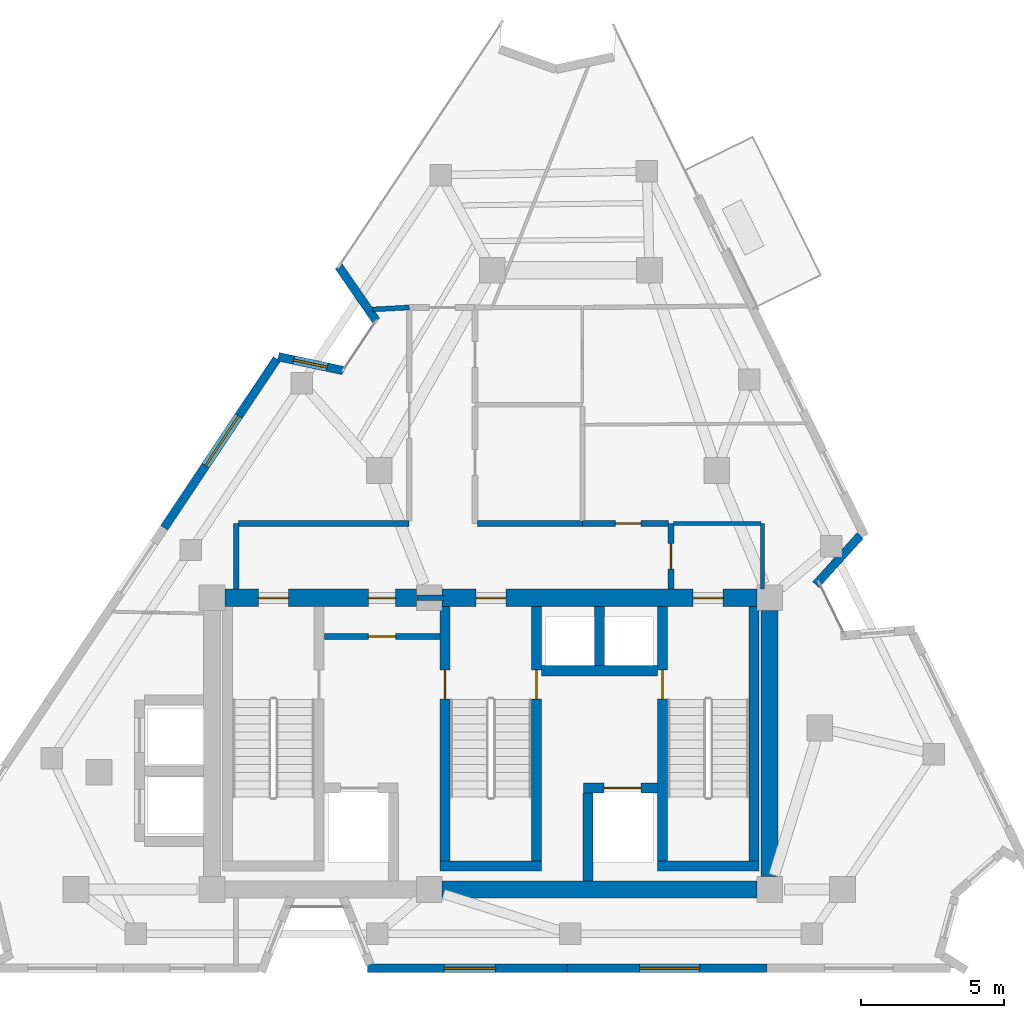
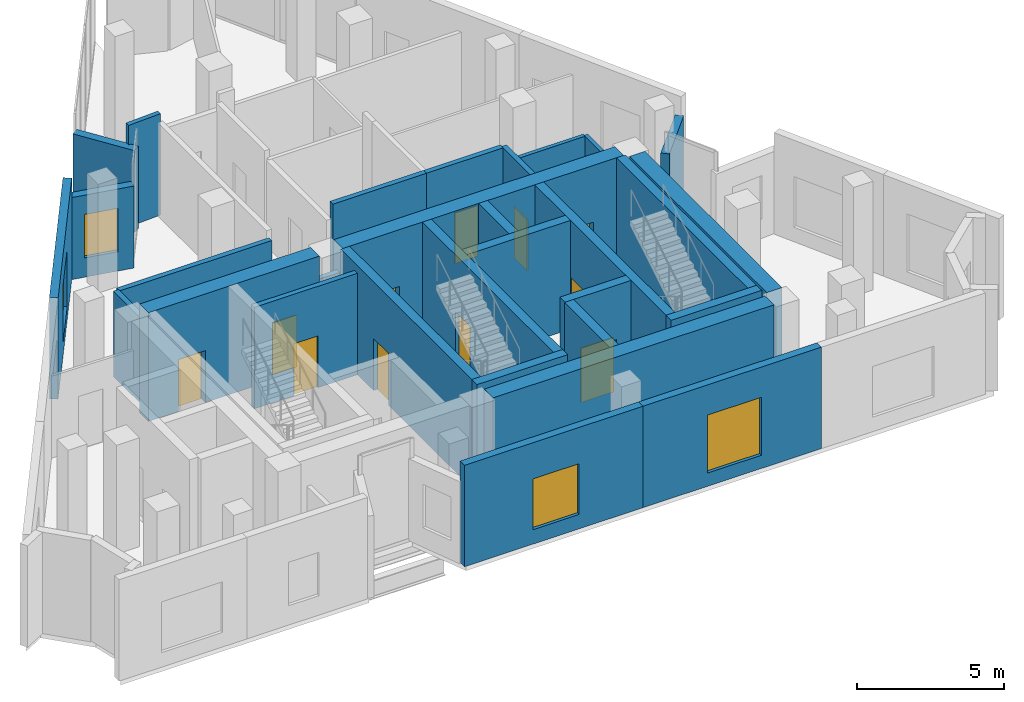
# One storey, part 6 of 9: 30 walls, 11 doors, 4 windows, 15 openings.
"""IFC4 building model written with IfcOpenShell, lengths in metres."""

import ifcopenshell
import ifcopenshell.guid

model = None  # the IFC model being written
_history = None  # IfcOwnerHistory: only IFC2X3 demands one
_inside = {}  # id of a spatial element -> (the spatial element, [elements in it])
_under = {}  # id of a project, library or spatial element -> (it, [spatial elements below it])
_declared = {}  # id of a project -> (the project, [libraries it declares])
_typed = {}  # id of a type object -> (the type object, [elements of that type])
_made_of = {}  # id of a material, layer set ... -> (it, [elements and type objects made of it])


def new_model(schema):
    """Start an empty IFC model of exactly this schema.

    Asked for "IFC4X3", IfcOpenShell would pick the latest addendum, in which some entities
    have other attributes; the version numbers below select the first issue.
    IFC2X3 requires an IfcOwnerHistory on every rooted entity: one is made here for all.
    """
    global model, _history
    if schema == "IFC4X3":
        model = ifcopenshell.file(schema_version=(4, 3, 0, 0))
    else:
        model = ifcopenshell.file(schema=schema)
    _inside.clear()
    _under.clear()
    _declared.clear()
    _typed.clear()
    _made_of.clear()
    _history = None
    if model.schema == "IFC2X3":
        org = make("IfcOrganization", Name="unknown")
        user = make(
            "IfcPersonAndOrganization",
            ThePerson=make("IfcPerson", FamilyName="unknown"),
            TheOrganization=org,
        )
        app = make(
            "IfcApplication",
            ApplicationDeveloper=org,
            Version="unknown",
            ApplicationFullName="unknown",
            ApplicationIdentifier="unknown",
        )
        _history = make(
            "IfcOwnerHistory",
            OwningUser=user,
            OwningApplication=app,
            ChangeAction="ADDED",
            CreationDate=0,
        )
    return model


def make(cls, **values):
    """One entity of the class cls with the attributes given. An attribute that is None is left unset."""
    return model.create_entity(
        cls, **{name: value for name, value in values.items() if value is not None}
    )


def rooted(cls, **values):
    """An entity with a GlobalId (a new one), such as an element, a storey or a relation."""
    return make(cls, GlobalId=ifcopenshell.guid.new(), OwnerHistory=_history, **values)


def si_unit(unit_type, name, prefix=None):
    """IfcSIUnit, for example si_unit("LENGTHUNIT", "METRE", prefix="MILLI")."""
    return make("IfcSIUnit", UnitType=unit_type, Prefix=prefix, Name=name)


def assignment(units):
    """IfcUnitAssignment: the units of a project."""
    return None if units is None else make("IfcUnitAssignment", Units=units)


def point(xyz):
    """IfcCartesianPoint."""
    return None if xyz is None else make("IfcCartesianPoint", Coordinates=xyz)


def direction(xyz):
    """IfcDirection."""
    return None if xyz is None else make("IfcDirection", DirectionRatios=xyz)


def frame(location, z_axis=None, x_axis=None):
    """IfcAxis2Placement3D, a coordinate frame: its origin and axes. An axis left out is left unset."""
    return make(
        "IfcAxis2Placement3D",
        Location=point(location),
        Axis=direction(z_axis),
        RefDirection=direction(x_axis),
    )


def frame_2d(location, x_axis=None):
    """IfcAxis2Placement2D, a coordinate frame in the plane: its origin and x axis."""
    return make(
        "IfcAxis2Placement2D", Location=point(location), RefDirection=direction(x_axis)
    )


def origin():
    """The frame at (0, 0, 0) with its axes left unset."""
    return frame((0.0, 0.0, 0.0))


def place(relative_to, where):
    """IfcLocalPlacement: puts the frame where relative to a parent placement (None: the world)."""
    return make(
        "IfcLocalPlacement", PlacementRelTo=relative_to, RelativePlacement=where
    )


def context(
    kind, dimensions, precision=None, world=None, true_north=None, identifier=None
):
    """IfcGeometricRepresentationContext, for example the 3D "Model" context."""
    return make(
        "IfcGeometricRepresentationContext",
        ContextIdentifier=identifier,
        ContextType=kind,
        CoordinateSpaceDimension=dimensions,
        Precision=precision,
        WorldCoordinateSystem=world,
        TrueNorth=true_north,
    )


def subcontext(parent, identifier, kind, view, scale=None):
    """IfcGeometricRepresentationSubContext, for example "Body" below "Model"."""
    return make(
        "IfcGeometricRepresentationSubContext",
        ContextIdentifier=identifier,
        ContextType=kind,
        ParentContext=parent,
        TargetScale=scale,
        TargetView=view,
    )


def project(units=None, contexts=None):
    """IfcProject with its units and contexts."""
    return rooted(
        "IfcProject",
        Name="project",
        RepresentationContexts=contexts,
        UnitsInContext=assignment(units),
    )


def spatial(cls, under=None, at=None, **own):
    """A site, building, storey or space (cls), placed at a placement, below another one or the project."""
    s = rooted(cls, ObjectPlacement=at, **own)
    if under is not None:
        _under.setdefault(under.id(), (under, []))[1].append(s)
    return s


def profile(cls, at=None, kind="AREA", **sizes):
    """A parametric profile (cls). Its sizes go by their IFC names, for example OverallWidth=200.0."""
    return make(cls, ProfileType=kind, Position=at, **sizes)


def rectangle(**sizes):
    """IfcRectangleProfileDef."""
    return profile("IfcRectangleProfileDef", **sizes)


def extrude(swept, where, along, depth):
    """IfcExtrudedAreaSolid: the profile swept, set in the frame where, extruded along a direction by depth."""
    return make(
        "IfcExtrudedAreaSolid",
        SweptArea=swept,
        Position=where,
        ExtrudedDirection=direction(along),
        Depth=depth,
    )


def shape(context_of_items, identifier, shape_type, items):
    """IfcShapeRepresentation: the items that make up one representation, for example the "Body"."""
    return make(
        "IfcShapeRepresentation",
        ContextOfItems=context_of_items,
        RepresentationIdentifier=identifier,
        RepresentationType=shape_type,
        Items=items,
    )


def material(Name=None, Category=None):
    """IfcMaterial."""
    return make("IfcMaterial", Name=Name, Category=Category)


def layer(
    of_material, thickness, ventilated=None, Name=None, Category=None, Priority=None
):
    """IfcMaterialLayer: one layer of a wall or slab, of a material (None: an air gap)."""
    return make(
        "IfcMaterialLayer",
        Material=of_material,
        LayerThickness=thickness,
        IsVentilated=ventilated,
        Name=Name,
        Category=Category,
        Priority=Priority,
    )


def layer_set(layers, Name=None):
    """IfcMaterialLayerSet."""
    return make("IfcMaterialLayerSet", MaterialLayers=layers, LayerSetName=Name)


def made_of(thing, what):
    """Note that an element or type object is made of a material, layer set ...; save() writes the relation."""
    if what is not None:
        _made_of.setdefault(what.id(), (what, []))[1].append(thing)
    return thing


def type_object(cls, material=None, **own):
    """A type object (cls), such as IfcWallType, which elements share."""
    return made_of(rooted(cls, **own), material)


def element(
    cls,
    number,
    at=None,
    inside=None,
    cuts=None,
    type_object=None,
    material=None,
    context=None,
    identifier="Body",
    shape_type=None,
    held_by="IfcProductDefinitionShape",
    body=None,
    shapes=None,
    **own,
):
    """One element of the class cls, such as IfcWall. Its Tag is "e" and its number.

    at: its placement. inside: the storey or other place that contains it. cuts: it is an
    opening in that element (IfcRelVoidsElement). A single representation is given by context,
    identifier, shape_type and body (its items); several are given by shapes. held_by: the class
    of the entity that holds the representations. save() writes the other relations.
    """
    e = rooted(cls, Tag="e%d" % number, ObjectPlacement=at, **own)
    if body is not None:
        shapes = [shape(context, identifier, shape_type, body)]
    if shapes is not None:
        e.Representation = make(held_by, Representations=shapes)
    if inside is not None:
        _inside.setdefault(inside.id(), (inside, []))[1].append(e)
    if cuts is not None:
        rooted(
            "IfcRelVoidsElement", RelatingBuildingElement=cuts, RelatedOpeningElement=e
        )
    if type_object is not None:
        _typed.setdefault(type_object.id(), (type_object, []))[1].append(e)
    return made_of(e, material)


def fill(opening, filler):
    """IfcRelFillsElement: the door or window that sits in an opening."""
    return rooted(
        "IfcRelFillsElement",
        RelatingOpeningElement=opening,
        RelatedBuildingElement=filler,
    )


def aggregate(whole, parts):
    """IfcRelAggregates: a whole, such as a stair, and the parts it consists of."""
    return rooted("IfcRelAggregates", RelatingObject=whole, RelatedObjects=parts)


def save(model, path):
    """Write the relations noted so far, then the file.

    IfcRelAggregates (storeys below a building ...), IfcRelContainedInSpatialStructure (elements
    in a storey), IfcRelDefinesByType, IfcRelAssociatesMaterial and IfcRelDeclares: one each for
    every whole, place, type object, material and project.
    """
    for whole, parts in _under.values():
        aggregate(whole, parts)
    for where, things in _inside.values():
        rooted(
            "IfcRelContainedInSpatialStructure",
            RelatedElements=things,
            RelatingStructure=where,
        )
    for kind, things in _typed.values():
        rooted("IfcRelDefinesByType", RelatedObjects=things, RelatingType=kind)
    for what, things in _made_of.values():
        rooted("IfcRelAssociatesMaterial", RelatedObjects=things, RelatingMaterial=what)
    for by, libraries in _declared.values():
        rooted("IfcRelDeclares", RelatingContext=by, RelatedDefinitions=libraries)
    model.write(path)


model = new_model("IFC4")

# Units and contexts
model_context = context("Model", 3, precision=1e-05, world=origin(), true_north=direction((0.0, 1.0)))
body_context = subcontext(model_context, "Body", "Model", "MODEL_VIEW")
ifc_project = project(units=[si_unit("LENGTHUNIT", "METRE"), si_unit("AREAUNIT", "SQUARE_METRE"), si_unit("VOLUMEUNIT", "CUBIC_METRE"), si_unit("PLANEANGLEUNIT", "RADIAN"), si_unit("MASSUNIT", "GRAM", prefix="KILO")], contexts=[model_context])

# Site, building, storey
site_placement = place(None, origin())
site = spatial("IfcSite", under=ifc_project, at=site_placement, CompositionType="ELEMENT")
building_placement = place(site_placement, origin())
building = spatial("IfcBuilding", under=site, at=building_placement, Name="Almagre Mirador Tower", CompositionType="ELEMENT")
storey_placement = place(building_placement, frame((0.0, 0.0, 289.5)))
storey = spatial("IfcBuildingStorey", under=building, at=storey_placement, Name="L75", CompositionType="ELEMENT", Elevation=289.5)

# Wall, opening, window
ifc_material_1 = material(Name="Precast concrete C50/60", Category="concrete")
ifc_layer_1 = layer(ifc_material_1, 0.300048828125)
ifc_layer_set_1 = layer_set([ifc_layer_1], Name="Precast concrete C50/60")
wall_type_1 = type_object("IfcWallType", Name="WAL-EXT-300", PredefinedType="SOLIDWALL", material=ifc_layer_set_1)
wall_1_placement = place(storey_placement, frame((29.8720703125, 23.178955078125, 0.0), z_axis=(0.0, 0.0, 1.0), x_axis=(0.978065695184, -0.208296653608, 0.0)))
wall_1 = element("IfcWall", 1, at=wall_1_placement, inside=storey, type_object=wall_type_1, Name="L75 expressed almagre precast frame wall 01", PredefinedType="SOLIDWALL", context=body_context, shape_type="SweptSolid", body=[
    extrude(rectangle(XDim=2.313720703125, YDim=0.300048828125, at=frame_2d((1.15673828125, 0.0))), origin(), (0.0, 0.0, 1.0), 3.39599609375),
])
opening_1_placement = place(wall_1_placement, frame((0.550048828125, 0.0, 0.800048828125)))
opening_1 = element("IfcOpeningElement", 2, at=opening_1_placement, cuts=wall_1, Name="Opening WN-04", PredefinedType="OPENING", context=body_context, shape_type="SweptSolid", body=[
    extrude(rectangle(XDim=1.199951171875, YDim=1.800048828125, at=frame_2d((0.60009765625, 0.89990234375))), frame((0.0, 0.159902, 0.0), z_axis=(0.0, -1.0, 0.0), x_axis=(1.0, 0.0, 0.0)), (0.0, 0.0, 1.0), 0.320049),
])
ifc_material_2 = material(Name="Dark solar-control laminated hurricane glass", Category="glass")
window_type_1 = type_object("IfcWindowType", Name="WIN-1200X1800", PartitioningType="SINGLE_PANEL", PredefinedType="WINDOW", material=ifc_material_2)
window_1_placement = place(opening_1_placement, origin())
window_1 = element("IfcWindow", 3, at=window_1_placement, inside=storey, type_object=window_type_1, Name="L75 recessed hurricane window L75-MSTD", OverallHeight=1.800048828125, OverallWidth=1.199951171875, PartitioningType="SINGLE_PANEL", PredefinedType="WINDOW", context=body_context, shape_type="SweptSolid", body=[
    extrude(rectangle(XDim=1.199951171875, YDim=1.800048828125, at=frame_2d((0.60009765625, 0.89990234375))), frame((0.0, 0.030029296875, 0.0), z_axis=(0.0, -1.0, 0.0), x_axis=(1.0, 0.0, 0.0)), (0.0, 0.0, 1.0), 0.06005859375),
])
fill(opening_1, window_1)

# Walls
wall_2_placement = place(storey_placement, frame((33.2958984375, 24.43505859375, 0.0), z_axis=(0.0, 0.0, 1.0), x_axis=(-0.567777329438, 0.823182181644, 0.0)))
element("IfcWall", 4, at=wall_2_placement, inside=storey, type_object=wall_type_1, Name="L75 expressed almagre precast frame wall 02", PredefinedType="SOLIDWALL", context=body_context, shape_type="SweptSolid", body=[
    extrude(rectangle(XDim=2.314208984375, YDim=0.300048828125, at=frame_2d((1.1572265625, 0.0))), origin(), (0.0, 0.0, 1.0), 3.39599609375),
])
wall_3_placement = place(storey_placement, frame((50.217041015625, 16.926025390625, 0.0), z_axis=(0.0, 0.0, 1.0), x_axis=(-0.670816609781, -0.741623270968, 0.0)))
element("IfcWall", 5, at=wall_3_placement, inside=storey, type_object=wall_type_1, Name="L75 expressed almagre precast frame wall 07", PredefinedType="SOLIDWALL", context=body_context, shape_type="SweptSolid", body=[
    extrude(rectangle(XDim=2.313720703125, YDim=0.300048828125, at=frame_2d((1.15673828125, 0.0))), origin(), (0.0, 0.0, 1.0), 3.39599609375),
])

# Wall, opening, window
wall_4_placement = place(storey_placement, frame((46.9560546875, 1.800048828125, 0.0), z_axis=(0.0, 0.0, 1.0), x_axis=(-1.0, 0.0, 0.0)))
wall_4 = element("IfcWall", 6, at=wall_4_placement, inside=storey, type_object=wall_type_1, Name="L75 expressed almagre precast frame wall 16", PredefinedType="SOLIDWALL", context=body_context, shape_type="SweptSolid", body=[
    extrude(rectangle(XDim=6.984130859375, YDim=0.300048828125, at=frame_2d((3.4921875, 0.0))), origin(), (0.0, 0.0, 1.0), 4.199951171875),
])
opening_2_placement = place(wall_4_placement, frame((2.35009765625, 0.0, 0.550048828125)))
opening_2 = element("IfcOpeningElement", 7, at=opening_2_placement, cuts=wall_4, Name="Opening WN-05", PredefinedType="OPENING", context=body_context, shape_type="SweptSolid", body=[
    extrude(rectangle(XDim=2.10009765625, YDim=2.39990234375, at=frame_2d((1.050048828125, 1.199951171875))), frame((0.0, 0.159902, 0.0), z_axis=(0.0, -1.0, 0.0), x_axis=(1.0, 0.0, 0.0)), (0.0, 0.0, 1.0), 0.320049),
])
ifc_material_3 = material(Name="Dark solar-control laminated hurricane glass", Category="glass")
window_type_2 = type_object("IfcWindowType", Name="WIN-2100X2400", PartitioningType="DOUBLE_PANEL_VERTICAL", PredefinedType="WINDOW", material=ifc_material_3)
window_2_placement = place(opening_2_placement, origin())
window_2 = element("IfcWindow", 8, at=window_2_placement, inside=storey, type_object=window_type_2, Name="L75 recessed hurricane window L75-MLEC-2", OverallHeight=2.39990234375, OverallWidth=2.10009765625, PartitioningType="SINGLE_PANEL", PredefinedType="WINDOW", context=body_context, shape_type="SweptSolid", body=[
    extrude(rectangle(XDim=2.10009765625, YDim=2.39990234375, at=frame_2d((1.050048828125, 1.199951171875))), frame((0.0, 0.030029296875, 0.0), z_axis=(0.0, -1.0, 0.0), x_axis=(1.0, 0.0, 0.0)), (0.0, 0.0, 1.0), 0.06005859375),
])
fill(opening_2, window_2)

wall_5_placement = place(storey_placement, frame((39.971923828125, 1.800048828125, 0.0), z_axis=(0.0, 0.0, 1.0), x_axis=(-1.0, 0.0, 0.0)))
wall_5 = element("IfcWall", 9, at=wall_5_placement, inside=storey, type_object=wall_type_1, Name="L75 expressed almagre precast frame wall 17", PredefinedType="SOLIDWALL", context=body_context, shape_type="SweptSolid", body=[
    extrude(rectangle(XDim=6.98388671875, YDim=0.300048828125, at=frame_2d((3.491943359375, 0.0))), origin(), (0.0, 0.0, 1.0), 4.199951171875),
])
opening_3_placement = place(wall_5_placement, frame((2.5, 0.0, 0.60009765625)))
opening_3 = element("IfcOpeningElement", 10, at=opening_3_placement, cuts=wall_5, Name="Opening WN-01", PredefinedType="OPENING", context=body_context, shape_type="SweptSolid", body=[
    extrude(rectangle(XDim=1.800048828125, YDim=2.10009765625, at=frame_2d((0.89990234375, 1.050048828125))), frame((0.0, 0.159902, 0.0), z_axis=(0.0, -1.0, 0.0), x_axis=(1.0, 0.0, 0.0)), (0.0, 0.0, 1.0), 0.320049),
])
ifc_material_4 = material(Name="Dark solar-control laminated hurricane glass", Category="glass")
window_type_3 = type_object("IfcWindowType", Name="WIN-1800X2100", PartitioningType="DOUBLE_PANEL_VERTICAL", PredefinedType="WINDOW", material=ifc_material_4)
window_3_placement = place(opening_3_placement, origin())
window_3 = element("IfcWindow", 11, at=window_3_placement, inside=storey, type_object=window_type_3, Name="L75 recessed hurricane window L75-MLEC-2", OverallHeight=2.10009765625, OverallWidth=1.800048828125, PartitioningType="SINGLE_PANEL", PredefinedType="WINDOW", context=body_context, shape_type="SweptSolid", body=[
    extrude(rectangle(XDim=1.800048828125, YDim=2.10009765625, at=frame_2d((0.89990234375, 1.050048828125))), frame((0.0, 0.030029296875, 0.0), z_axis=(0.0, -1.0, 0.0), x_axis=(1.0, 0.0, 0.0)), (0.0, 0.0, 1.0), 0.06005859375),
])
fill(opening_3, window_3)

wall_6_placement = place(storey_placement, frame((25.880859375, 17.200439453125, 0.0), z_axis=(0.0, 0.0, 1.0), x_axis=(0.555231876215, 0.831695595537, 0.0)))
wall_6 = element("IfcWall", 12, at=wall_6_placement, inside=storey, type_object=wall_type_1, Name="L75 expressed almagre precast frame wall 28", PredefinedType="SOLIDWALL", context=body_context, shape_type="SweptSolid", body=[
    extrude(rectangle(XDim=7.09814453125, YDim=0.300048828125, at=frame_2d((3.549072265625, 0.0))), origin(), (0.0, 0.0, 1.0), 4.199951171875),
])
opening_4_placement = place(wall_6_placement, frame((2.60009765625, 0.0, 0.550048828125)))
opening_4 = element("IfcOpeningElement", 13, at=opening_4_placement, cuts=wall_6, Name="Opening WN-05", PredefinedType="OPENING", context=body_context, shape_type="SweptSolid", body=[
    extrude(rectangle(XDim=2.10009765625, YDim=2.39990234375, at=frame_2d((1.050048828125, 1.199951171875))), frame((0.0, 0.159902, 0.0), z_axis=(0.0, -1.0, 0.0), x_axis=(1.0, 0.0, 0.0)), (0.0, 0.0, 1.0), 0.320049),
])
window_4_placement = place(opening_4_placement, origin())
window_4 = element("IfcWindow", 14, at=window_4_placement, inside=storey, type_object=window_type_2, Name="L75 recessed hurricane window L75-MSTD", OverallHeight=2.39990234375, OverallWidth=2.10009765625, PartitioningType="SINGLE_PANEL", PredefinedType="WINDOW", context=body_context, shape_type="SweptSolid", body=[
    extrude(rectangle(XDim=2.10009765625, YDim=2.39990234375, at=frame_2d((1.050048828125, 1.199951171875))), frame((0.0, 0.030029296875, 0.0), z_axis=(0.0, -1.0, 0.0), x_axis=(1.0, 0.0, 0.0)), (0.0, 0.0, 1.0), 0.06005859375),
])
fill(opening_4, window_4)

# Walls
ifc_material_5 = material(Name="Gypsum acoustic stud partition", Category="other")
ifc_layer_2 = layer(ifc_material_5, 0.14990234375)
ifc_layer_set_2 = layer_set([ifc_layer_2], Name="Gypsum acoustic stud partition")
wall_type_2 = type_object("IfcWallType", Name="WAL-PRT-150-STD", PredefinedType="PARTITIONING", material=ifc_layer_set_2)
wall_7_placement = place(storey_placement, frame((46.800048828125, 15.050048828125, 0.0), z_axis=(0.0, 0.0, 1.0), x_axis=(0.0, 1.0, 0.0)))
element("IfcWall", 15, at=wall_7_placement, inside=storey, type_object=wall_type_2, Name="L75 interior partition 002", PredefinedType="PARTITIONING", context=body_context, shape_type="SweptSolid", body=[
    extrude(rectangle(XDim=2.300048828125, YDim=0.14990234375, at=frame_2d((1.14990234375, 0.0))), origin(), (0.0, 0.0, 1.0), 3.534912109375),
])
wall_8_placement = place(storey_placement, frame((46.739990234375, 17.35009765625, 0.0), z_axis=(0.0, 0.0, 1.0), x_axis=(-1.0, 0.0, 0.0)))
element("IfcWall", 16, at=wall_8_placement, inside=storey, type_object=wall_type_2, Name="L75 interior partition 003", PredefinedType="PARTITIONING", context=body_context, shape_type="SweptSolid", body=[
    extrude(rectangle(XDim=3.054931640625, YDim=0.14990234375, at=frame_2d((1.52734375, 0.0))), origin(), (0.0, 0.0, 1.0), 3.534912109375),
])
ifc_material_6 = material(Name="Gypsum acoustic stud partition", Category="other")
ifc_layer_3 = layer(ifc_material_6, 0.175048828125)
ifc_layer_set_3 = layer_set([ifc_layer_3], Name="Gypsum acoustic stud partition")
wall_type_3 = type_object("IfcWallType", Name="WAL-PRT-175-AC", PredefinedType="PARTITIONING", material=ifc_layer_set_3)
wall_9_placement = place(storey_placement, frame((33.166015625, 24.83203125, 0.0), z_axis=(0.0, 0.0, 1.0), x_axis=(0.998605738501, 0.052788057673, 0.0)))
element("IfcWall", 17, at=wall_9_placement, inside=storey, type_object=wall_type_3, Name="L75 interior partition 018", PredefinedType="PARTITIONING", context=body_context, shape_type="SweptSolid", body=[
    extrude(rectangle(XDim=1.28564453125, YDim=0.175048828125, at=frame_2d((0.642822265625, 0.0))), origin(), (0.0, 0.0, 1.0), 4.199951171875),
])
ifc_material_7 = material(Name="Gypsum acoustic stud partition", Category="other")
ifc_layer_4 = layer(ifc_material_7, 0.199951171875)
ifc_layer_set_4 = layer_set([ifc_layer_4], Name="Gypsum acoustic stud partition")
wall_type_4 = type_object("IfcWallType", Name="WAL-PRT-200-EI60", PredefinedType="PARTITIONING", material=ifc_layer_set_4)
wall_10_placement = place(storey_placement, frame((34.719970703125, 14.75, 0.0), z_axis=(0.0, 0.0, 1.0), x_axis=(1.0, 0.0, 0.0)))
element("IfcWall", 18, at=wall_10_placement, inside=storey, type_object=wall_type_4, Name="L75 core north closure wall", PredefinedType="PARTITIONING", context=body_context, shape_type="SweptSolid", body=[
    extrude(rectangle(XDim=0.93505859375, YDim=0.199951171875, at=frame_2d((0.467529296875, 0.0))), origin(), (0.0, 0.0, 1.0), 3.385009765625),
])

# Wall, opening, door
wall_11_placement = place(storey_placement, frame((31.47998046875, 13.39990234375, 0.0), z_axis=(0.0, 0.0, 1.0), x_axis=(1.0, 0.0, 0.0)))
wall_11 = element("IfcWall", 19, at=wall_11_placement, inside=storey, type_object=wall_type_4, Name="L75 FFL-1 north enclosure wall", PredefinedType="PARTITIONING", context=body_context, shape_type="SweptSolid", body=[
    extrude(rectangle(XDim=4.0400390625, YDim=0.199951171875, at=frame_2d((2.02001953125, 0.0))), origin(), (0.0, 0.0, 1.0), 4.199951171875),
])
opening_5_placement = place(wall_11_placement, frame((1.544921875, 0.0, 0.0)))
opening_5 = element("IfcOpeningElement", 20, at=opening_5_placement, cuts=wall_11, Name="Opening ID-02", PredefinedType="OPENING", context=body_context, shape_type="SweptSolid", body=[
    extrude(rectangle(XDim=0.949951171875, YDim=2.14990234375, at=frame_2d((0.47509765625, 1.074951171875))), frame((0.0, 0.110098, 0.0), z_axis=(0.0, -1.0, 0.0), x_axis=(1.0, 0.0, 0.0)), (0.0, 0.0, 1.0), 0.219951),
])
ifc_material_8 = material(Name="Fire-rated walnut timber", Category="wood")
door_type_1 = type_object("IfcDoorType", Name="DOR-FD60-950X2150", OperationType="NOTDEFINED", PredefinedType="DOOR", material=ifc_material_8)
door_1_placement = place(opening_5_placement, origin())
door_1 = element("IfcDoor", 21, at=door_1_placement, inside=storey, type_object=door_type_1, Name="DR-2238 L75 FFL-1 north smoke door", OperationType="SINGLE_SWING_RIGHT", OverallHeight=2.14990234375, OverallWidth=0.949951171875, PredefinedType="DOOR", context=body_context, shape_type="SweptSolid", body=[
    extrude(rectangle(XDim=0.949951171875, YDim=2.14990234375, at=frame_2d((0.47509765625, 1.074951171875))), frame((0.0, 0.02490234375, 0.0), z_axis=(0.0, -1.0, 0.0), x_axis=(1.0, 0.0, 0.0)), (0.0, 0.0, 1.0), 0.050048828125),
])
fill(opening_5, door_1)

wall_12_placement = place(storey_placement, frame((43.60009765625, 17.35009765625, 0.0), z_axis=(0.0, 0.0, 1.0), x_axis=(0.0, -1.0, 0.0)))
wall_12 = element("IfcWall", 22, at=wall_12_placement, inside=storey, type_object=wall_type_4, Name="L75 interior partition 001", PredefinedType="PARTITIONING", context=body_context, shape_type="SweptSolid", body=[
    extrude(rectangle(XDim=2.300048828125, YDim=0.199951171875, at=frame_2d((1.14990234375, 0.0))), origin(), (0.0, 0.0, 1.0), 4.199951171875),
])
opening_6_placement = place(wall_12_placement, frame((0.699951171875, 0.0, 0.0)))
opening_6 = element("IfcOpeningElement", 23, at=opening_6_placement, cuts=wall_12, Name="Opening ID-03", PredefinedType="OPENING", context=body_context, shape_type="SweptSolid", body=[
    extrude(rectangle(XDim=0.89990234375, YDim=2.10009765625, at=frame_2d((0.449951171875, 1.050048828125))), frame((0.0, 0.110098, 0.0), z_axis=(0.0, -1.0, 0.0), x_axis=(1.0, 0.0, 0.0)), (0.0, 0.0, 1.0), 0.219951),
])
ifc_material_9 = material(Name="Fire-rated hollow steel", Category="steel")
door_type_2 = type_object("IfcDoorType", Name="DOR-FD60-900X2100", OperationType="NOTDEFINED", PredefinedType="DOOR", material=ifc_material_9)
door_2_placement = place(opening_6_placement, origin())
door_2 = element("IfcDoor", 24, at=door_2_placement, inside=storey, type_object=door_type_2, Name="DR-2248 L75 interior door L75-MWCA to L75-MCOR", OperationType="SINGLE_SWING_LEFT", OverallHeight=2.10009765625, OverallWidth=0.89990234375, PredefinedType="DOOR", context=body_context, shape_type="SweptSolid", body=[
    extrude(rectangle(XDim=0.89990234375, YDim=2.10009765625, at=frame_2d((0.449951171875, 1.050048828125))), frame((0.0, 0.02490234375, 0.0), z_axis=(0.0, -1.0, 0.0), x_axis=(1.0, 0.0, 0.0)), (0.0, 0.0, 1.0), 0.050048828125),
])
fill(opening_6, door_2)

# Walls
wall_13_placement = place(storey_placement, frame((36.8349609375, 17.35009765625, 0.0), z_axis=(0.0, 0.0, 1.0), x_axis=(1.0, 0.0, 0.0)))
element("IfcWall", 25, at=wall_13_placement, inside=storey, type_object=wall_type_4, Name="L75 interior partition 011", PredefinedType="PARTITIONING", context=body_context, shape_type="SweptSolid", body=[
    extrude(rectangle(XDim=3.6650390625, YDim=0.199951171875, at=frame_2d((1.83251953125, 0.0))), origin(), (0.0, 0.0, 1.0), 4.199951171875),
])
wall_14_placement = place(storey_placement, frame((28.39990234375, 15.050048828125, 0.0), z_axis=(0.0, 0.0, 1.0), x_axis=(0.0, 1.0, 0.0)))
element("IfcWall", 26, at=wall_14_placement, inside=storey, type_object=wall_type_4, Name="L75 interior partition 020", PredefinedType="PARTITIONING", context=body_context, shape_type="SweptSolid", body=[
    extrude(rectangle(XDim=2.300048828125, YDim=0.199951171875, at=frame_2d((1.14990234375, 0.0))), origin(), (0.0, 0.0, 1.0), 3.534912109375),
])
wall_15_placement = place(storey_placement, frame((28.485107421875, 17.35009765625, 0.0), z_axis=(0.0, 0.0, 1.0), x_axis=(1.0, 0.0, 0.0)))
element("IfcWall", 27, at=wall_15_placement, inside=storey, type_object=wall_type_4, Name="L75 interior partition 021", PredefinedType="PARTITIONING", context=body_context, shape_type="SweptSolid", body=[
    extrude(rectangle(XDim=5.96484375, YDim=0.199951171875, at=frame_2d((2.982421875, 0.0))), origin(), (0.0, 0.0, 1.0), 3.534912109375),
])

# Wall, opening, door
wall_16_placement = place(storey_placement, frame((43.514892578125, 17.35009765625, 0.0), z_axis=(0.0, 0.0, 1.0), x_axis=(-1.0, 0.0, 0.0)))
wall_16 = element("IfcWall", 28, at=wall_16_placement, inside=storey, type_object=wall_type_4, Name="L75 interior partition 024", PredefinedType="PARTITIONING", context=body_context, shape_type="SweptSolid", body=[
    extrude(rectangle(XDim=3.014892578125, YDim=0.199951171875, at=frame_2d((1.50732421875, 0.0))), origin(), (0.0, 0.0, 1.0), 4.199951171875),
])
opening_7_placement = place(wall_16_placement, frame((0.95849609375, 0.0, 0.0)))
opening_7 = element("IfcOpeningElement", 29, at=opening_7_placement, cuts=wall_16, Name="Opening ID-03", PredefinedType="OPENING", context=body_context, shape_type="SweptSolid", body=[
    extrude(rectangle(XDim=0.89990234375, YDim=2.10009765625, at=frame_2d((0.449951171875, 1.050048828125))), frame((0.0, 0.110098, 0.0), z_axis=(0.0, -1.0, 0.0), x_axis=(1.0, 0.0, 0.0)), (0.0, 0.0, 1.0), 0.219951),
])
door_3_placement = place(opening_7_placement, origin())
door_3 = element("IfcDoor", 30, at=door_3_placement, inside=storey, type_object=door_type_2, Name="DR-2246 L75 interior door L75-MCOR to L75-MOFF", OperationType="SINGLE_SWING_LEFT", OverallHeight=2.10009765625, OverallWidth=0.89990234375, PredefinedType="DOOR", context=body_context, shape_type="SweptSolid", body=[
    extrude(rectangle(XDim=0.89990234375, YDim=2.10009765625, at=frame_2d((0.449951171875, 1.050048828125))), frame((0.0, 0.02490234375, 0.0), z_axis=(0.0, -1.0, 0.0), x_axis=(1.0, 0.0, 0.0)), (0.0, 0.0, 1.0), 0.050048828125),
])
fill(opening_7, door_3)

ifc_material_10 = material(Name="Concrete C60/75", Category="concrete")
ifc_layer_5 = layer(ifc_material_10, 0.35009765625)
ifc_layer_set_5 = layer_set([ifc_layer_5], Name="Concrete C60/75")
wall_type_5 = type_object("IfcWallType", Name="WAL-SHF-350", PredefinedType="SOLIDWALL", material=ifc_layer_set_5)
wall_17_placement = place(storey_placement, frame((35.699951171875, 5.199951171875, 0.0), z_axis=(0.0, 0.0, 1.0), x_axis=(0.0, 1.0, 0.0)))
wall_17 = element("IfcWall", 31, at=wall_17_placement, inside=storey, type_object=wall_type_5, Name="L75 shaft wall ST2-W", PredefinedType="SOLIDWALL", context=body_context, shape_type="SweptSolid", body=[
    extrude(rectangle(XDim=9.25, YDim=0.35009765625, at=frame_2d((4.625, 0.0))), origin(), (0.0, 0.0, 1.0), 4.5),
])
opening_8_placement = place(wall_17_placement, frame((6.02001953125, 0.0, 0.0)))
opening_8 = element("IfcOpeningElement", 32, at=opening_8_placement, cuts=wall_17, Name="Opening FD-01", PredefinedType="OPENING", context=body_context, shape_type="SweptSolid", body=[
    extrude(rectangle(XDim=1.0, YDim=2.14990234375, at=frame_2d((0.5, 1.074951171875))), frame((0.0, 0.185049, 0.0), z_axis=(0.0, -1.0, 0.0), x_axis=(1.0, 0.0, 0.0)), (0.0, 0.0, 1.0), 0.370098),
])
ifc_material_11 = material(Name="Fire-rated hollow steel", Category="steel")
door_type_3 = type_object("IfcDoorType", Name="DOR-FFL-1000X2150", OperationType="NOTDEFINED", PredefinedType="DOOR", material=ifc_material_11)
door_4_placement = place(opening_8_placement, origin())
door_4 = element("IfcDoor", 33, at=door_4_placement, inside=storey, type_object=door_type_3, Name="DR-2240 L75 FFL1-ST2 smokeproof door", OperationType="SINGLE_SWING_LEFT", OverallHeight=2.14990234375, OverallWidth=1.0, PredefinedType="DOOR", context=body_context, shape_type="SweptSolid", body=[
    extrude(rectangle(XDim=1.0, YDim=2.14990234375, at=frame_2d((0.5, 1.074951171875))), frame((0.0, 0.02490234375, 0.0), z_axis=(0.0, -1.0, 0.0), x_axis=(1.0, 0.0, 0.0)), (0.0, 0.0, 1.0), 0.050048828125),
])
fill(opening_8, door_4)

wall_18_placement = place(storey_placement, frame((38.89990234375, 5.199951171875, 0.0), z_axis=(0.0, 0.0, 1.0), x_axis=(0.0, 1.0, 0.0)))
wall_18 = element("IfcWall", 34, at=wall_18_placement, inside=storey, type_object=wall_type_5, Name="L75 shaft wall ST2-E", PredefinedType="SOLIDWALL", context=body_context, shape_type="SweptSolid", body=[
    extrude(rectangle(XDim=9.25, YDim=0.35009765625, at=frame_2d((4.625, 0.0))), origin(), (0.0, 0.0, 1.0), 4.5),
])
opening_9_placement = place(wall_18_placement, frame((6.02001953125, 0.0, 0.0)))
opening_9 = element("IfcOpeningElement", 35, at=opening_9_placement, cuts=wall_18, Name="Opening FD-01", PredefinedType="OPENING", context=body_context, shape_type="SweptSolid", body=[
    extrude(rectangle(XDim=1.0, YDim=2.14990234375, at=frame_2d((0.5, 1.074951171875))), frame((0.0, 0.185049, 0.0), z_axis=(0.0, -1.0, 0.0), x_axis=(1.0, 0.0, 0.0)), (0.0, 0.0, 1.0), 0.370098),
])
door_5_placement = place(opening_9_placement, origin())
door_5 = element("IfcDoor", 36, at=door_5_placement, inside=storey, type_object=door_type_3, Name="DR-2241 L75 FFL2-ST2 smokeproof door", OperationType="SINGLE_SWING_RIGHT", OverallHeight=2.14990234375, OverallWidth=1.0, PredefinedType="DOOR", context=body_context, shape_type="SweptSolid", body=[
    extrude(rectangle(XDim=1.0, YDim=2.14990234375, at=frame_2d((0.5, 1.074951171875))), frame((0.0, 0.02490234375, 0.0), z_axis=(0.0, -1.0, 0.0), x_axis=(1.0, 0.0, 0.0)), (0.0, 0.0, 1.0), 0.050048828125),
])
fill(opening_9, door_5)

# Wall
wall_19_placement = place(storey_placement, frame((35.52490234375, 5.375, 0.0), z_axis=(0.0, 0.0, 1.0), x_axis=(1.0, 0.0, 0.0)))
element("IfcWall", 37, at=wall_19_placement, inside=storey, type_object=wall_type_5, Name="L75 shaft wall ST2-S", PredefinedType="SOLIDWALL", context=body_context, shape_type="SweptSolid", body=[
    extrude(rectangle(XDim=3.550048828125, YDim=0.35009765625, at=frame_2d((1.77490234375, 0.0))), origin(), (0.0, 0.0, 1.0), 4.5),
])

# Wall, opening, door
wall_20_placement = place(storey_placement, frame((43.300048828125, 5.199951171875, 0.0), z_axis=(0.0, 0.0, 1.0), x_axis=(0.0, 1.0, 0.0)))
wall_20 = element("IfcWall", 38, at=wall_20_placement, inside=storey, type_object=wall_type_5, Name="L75 shaft wall ST3-W", PredefinedType="SOLIDWALL", context=body_context, shape_type="SweptSolid", body=[
    extrude(rectangle(XDim=9.25, YDim=0.35009765625, at=frame_2d((4.625, 0.0))), origin(), (0.0, 0.0, 1.0), 4.5),
])
opening_10_placement = place(wall_20_placement, frame((6.02001953125, 0.0, 0.0)))
opening_10 = element("IfcOpeningElement", 39, at=opening_10_placement, cuts=wall_20, Name="Opening FD-01", PredefinedType="OPENING", context=body_context, shape_type="SweptSolid", body=[
    extrude(rectangle(XDim=1.0, YDim=2.14990234375, at=frame_2d((0.5, 1.074951171875))), frame((0.0, 0.185049, 0.0), z_axis=(0.0, -1.0, 0.0), x_axis=(1.0, 0.0, 0.0)), (0.0, 0.0, 1.0), 0.370098),
])
door_6_placement = place(opening_10_placement, origin())
door_6 = element("IfcDoor", 40, at=door_6_placement, inside=storey, type_object=door_type_3, Name="DR-2242 L75 FFL2-ST3 smokeproof door", OperationType="SINGLE_SWING_LEFT", OverallHeight=2.14990234375, OverallWidth=1.0, PredefinedType="DOOR", context=body_context, shape_type="SweptSolid", body=[
    extrude(rectangle(XDim=1.0, YDim=2.14990234375, at=frame_2d((0.5, 1.074951171875))), frame((0.0, 0.02490234375, 0.0), z_axis=(0.0, -1.0, 0.0), x_axis=(1.0, 0.0, 0.0)), (0.0, 0.0, 1.0), 0.050048828125),
])
fill(opening_10, door_6)

# Walls
wall_21_placement = place(storey_placement, frame((46.5, 5.199951171875, 0.0), z_axis=(0.0, 0.0, 1.0), x_axis=(0.0, 1.0, 0.0)))
element("IfcWall", 41, at=wall_21_placement, inside=storey, type_object=wall_type_5, Name="L75 shaft wall ST3-E", PredefinedType="SOLIDWALL", context=body_context, shape_type="SweptSolid", body=[
    extrude(rectangle(XDim=9.25, YDim=0.35009765625, at=frame_2d((4.625, 0.0))), origin(), (0.0, 0.0, 1.0), 4.5),
])
wall_22_placement = place(storey_placement, frame((43.125, 5.375, 0.0), z_axis=(0.0, 0.0, 1.0), x_axis=(1.0, 0.0, 0.0)))
element("IfcWall", 42, at=wall_22_placement, inside=storey, type_object=wall_type_5, Name="L75 shaft wall ST3-S", PredefinedType="SOLIDWALL", context=body_context, shape_type="SweptSolid", body=[
    extrude(rectangle(XDim=3.550048828125, YDim=0.35009765625, at=frame_2d((1.77490234375, 0.0))), origin(), (0.0, 0.0, 1.0), 4.5),
])

# Wall, opening, door
wall_23_placement = place(storey_placement, frame((40.550048828125, 8.10009765625, 0.0), z_axis=(0.0, 0.0, 1.0), x_axis=(1.0, 0.0, 0.0)))
wall_23 = element("IfcWall", 43, at=wall_23_placement, inside=storey, type_object=wall_type_5, Name="L75 shaft wall FSAE2-N", PredefinedType="SOLIDWALL", context=body_context, shape_type="SweptSolid", body=[
    extrude(rectangle(XDim=2.574951171875, YDim=0.35009765625, at=frame_2d((1.28759765625, 0.0))), origin(), (0.0, 0.0, 1.0), 4.5),
])
opening_11_placement = place(wall_23_placement, frame((0.699951171875, 0.0, 0.0)))
opening_11 = element("IfcOpeningElement", 44, at=opening_11_placement, cuts=wall_23, Name="Opening LD-03", PredefinedType="OPENING", context=body_context, shape_type="SweptSolid", body=[
    extrude(rectangle(XDim=1.300048828125, YDim=2.25, at=frame_2d((0.64990234375, 1.125))), frame((0.0, 0.185049, 0.0), z_axis=(0.0, -1.0, 0.0), x_axis=(1.0, 0.0, 0.0)), (0.0, 0.0, 1.0), 0.370098),
])
ifc_material_12 = material(Name="Hollow stainless steel", Category="steel")
door_type_4 = type_object("IfcDoorType", Name="DOR-LD-1300X2250", OperationType="DOUBLE_DOOR_SLIDING", PredefinedType="DOOR", material=ifc_material_12)
door_7_placement = place(opening_11_placement, origin())
door_7 = element("IfcDoor", 45, at=door_7_placement, inside=storey, type_object=door_type_4, Name="DR-2252 L75 FSAE-2 lift landing door", OperationType="DOUBLE_DOOR_SLIDING", OverallHeight=2.25, OverallWidth=1.300048828125, PredefinedType="DOOR", context=body_context, shape_type="SweptSolid", body=[
    extrude(rectangle(XDim=1.300048828125, YDim=2.25, at=frame_2d((0.64990234375, 1.125))), frame((0.0, 0.02490234375, 0.0), z_axis=(0.0, -1.0, 0.0), x_axis=(1.0, 0.0, 0.0)), (0.0, 0.0, 1.0), 0.050048828125),
])
fill(opening_11, door_7)

# Walls
wall_24_placement = place(storey_placement, frame((40.699951171875, 4.85009765625, 0.0), z_axis=(0.0, 0.0, 1.0), x_axis=(0.0, 1.0, 0.0)))
element("IfcWall", 46, at=wall_24_placement, inside=storey, type_object=wall_type_5, Name="L75 shaft wall FSAE2-W", PredefinedType="SOLIDWALL", context=body_context, shape_type="SweptSolid", body=[
    extrude(rectangle(XDim=3.074951171875, YDim=0.35009765625, at=frame_2d((1.53759765625, 0.0))), origin(), (0.0, 0.0, 1.0), 4.5),
])
wall_25_placement = place(storey_placement, frame((39.074951171875, 12.199951171875, 0.0), z_axis=(0.0, 0.0, 1.0), x_axis=(1.0, 0.0, 0.0)))
element("IfcWall", 47, at=wall_25_placement, inside=storey, type_object=wall_type_5, Name="L75 shaft wall PLH-S", PredefinedType="SOLIDWALL", context=body_context, shape_type="SweptSolid", body=[
    extrude(rectangle(XDim=4.050048828125, YDim=0.35009765625, at=frame_2d((2.02490234375, 0.0))), origin(), (0.0, 0.0, 1.0), 4.5),
])
wall_26_placement = place(storey_placement, frame((41.10009765625, 12.375, 0.0), z_axis=(0.0, 0.0, 1.0), x_axis=(0.0, 1.0, 0.0)))
element("IfcWall", 48, at=wall_26_placement, inside=storey, type_object=wall_type_5, Name="L75 shaft wall PLH-M", PredefinedType="SOLIDWALL", context=body_context, shape_type="SweptSolid", body=[
    extrude(rectangle(XDim=2.074951171875, YDim=0.35009765625, at=frame_2d((1.03759765625, 0.0))), origin(), (0.0, 0.0, 1.0), 4.5),
])
ifc_material_13 = material(Name="Concrete C60/75", Category="concrete")
ifc_layer_6 = layer(ifc_material_13, 0.60009765625)
ifc_layer_set_6 = layer_set([ifc_layer_6], Name="Concrete C60/75")
wall_type_6 = type_object("IfcWallType", Name="WAL-SHR-600", PredefinedType="SHEAR", material=ifc_layer_set_6)
wall_27_placement = place(storey_placement, frame((35.60009765625, 4.550048828125, 0.0), z_axis=(0.0, 0.0, 1.0), x_axis=(1.0, 0.0, 0.0)))
element("IfcWall", 49, at=wall_27_placement, inside=storey, type_object=wall_type_6, Name="L75 core shear wall S2", PredefinedType="SHEAR", context=body_context, shape_type="SweptSolid", body=[
    extrude(rectangle(XDim=11.0, YDim=0.60009765625, at=frame_2d((5.5, 0.0))), origin(), (0.0, 0.0, 1.0), 4.5),
])

# Wall, openings, doors
wall_28_placement = place(storey_placement, frame((28.0, 14.75, 0.0), z_axis=(0.0, 0.0, 1.0), x_axis=(1.0, 0.0, 0.0)))
wall_28 = element("IfcWall", 50, at=wall_28_placement, inside=storey, type_object=wall_type_6, Name="L75 core shear wall N1", PredefinedType="SHEAR", context=body_context, shape_type="SweptSolid", body=[
    extrude(rectangle(XDim=6.699951171875, YDim=0.60009765625, at=frame_2d((3.35009765625, 0.0))), origin(), (0.0, 0.0, 1.0), 4.5),
])
opening_12_placement = place(wall_28_placement, frame((1.175048828125, 0.0, 0.0)))
opening_12 = element("IfcOpeningElement", 51, at=opening_12_placement, cuts=wall_28, Name="Opening SD-01", PredefinedType="OPENING", context=body_context, shape_type="SweptSolid", body=[
    extrude(rectangle(XDim=1.050048828125, YDim=2.14990234375, at=frame_2d((0.52490234375, 1.074951171875))), frame((0.0, 0.310049, 0.0), z_axis=(0.0, -1.0, 0.0), x_axis=(1.0, 0.0, 0.0)), (0.0, 0.0, 1.0), 0.620098),
])
opening_13_placement = place(wall_28_placement, frame((5.02490234375, 0.0, 0.0)))
opening_13 = element("IfcOpeningElement", 52, at=opening_13_placement, cuts=wall_28, Name="Opening FD-02", PredefinedType="OPENING", context=body_context, shape_type="SweptSolid", body=[
    extrude(rectangle(XDim=0.949951171875, YDim=2.14990234375, at=frame_2d((0.47509765625, 1.074951171875))), frame((0.0, 0.310049, 0.0), z_axis=(0.0, -1.0, 0.0), x_axis=(1.0, 0.0, 0.0)), (0.0, 0.0, 1.0), 0.620098),
])
ifc_material_14 = material(Name="Fire-rated hollow steel", Category="steel")
door_type_5 = type_object("IfcDoorType", Name="DOR-FD90-950X2150", OperationType="NOTDEFINED", PredefinedType="DOOR", material=ifc_material_14)
door_8_placement = place(opening_13_placement, origin())
door_8 = element("IfcDoor", 53, at=door_8_placement, inside=storey, type_object=door_type_5, Name="DR-2237 L75 core equipment room north door", OperationType="SINGLE_SWING_LEFT", OverallHeight=2.14990234375, OverallWidth=0.949951171875, PredefinedType="DOOR", context=body_context, shape_type="SweptSolid", body=[
    extrude(rectangle(XDim=0.949951171875, YDim=2.14990234375, at=frame_2d((0.47509765625, 1.074951171875))), frame((0.0, 0.02490234375, 0.0), z_axis=(0.0, -1.0, 0.0), x_axis=(1.0, 0.0, 0.0)), (0.0, 0.0, 1.0), 0.050048828125),
])
fill(opening_13, door_8)
ifc_material_15 = material(Name="Fire-rated hollow steel", Category="steel")
door_type_6 = type_object("IfcDoorType", Name="DOR-ST-1050X2150", OperationType="NOTDEFINED", PredefinedType="DOOR", material=ifc_material_15)
door_9_placement = place(opening_12_placement, origin())
door_9 = element("IfcDoor", 54, at=door_9_placement, inside=storey, type_object=door_type_6, Name="DR-2255 L75 protected exit stair ST-1 door", OperationType="SINGLE_SWING_LEFT", OverallHeight=2.14990234375, OverallWidth=1.050048828125, PredefinedType="DOOR", context=body_context, shape_type="SweptSolid", body=[
    extrude(rectangle(XDim=1.050048828125, YDim=2.14990234375, at=frame_2d((0.52490234375, 1.074951171875))), frame((0.0, 0.02490234375, 0.0), z_axis=(0.0, -1.0, 0.0), x_axis=(1.0, 0.0, 0.0)), (0.0, 0.0, 1.0), 0.050048828125),
])
fill(opening_12, door_9)

wall_29_placement = place(storey_placement, frame((35.60009765625, 14.75, 0.0), z_axis=(0.0, 0.0, 1.0), x_axis=(1.0, 0.0, 0.0)))
wall_29 = element("IfcWall", 55, at=wall_29_placement, inside=storey, type_object=wall_type_6, Name="L75 core shear wall N2", PredefinedType="SHEAR", context=body_context, shape_type="SweptSolid", body=[
    extrude(rectangle(XDim=11.0, YDim=0.60009765625, at=frame_2d((5.5, 0.0))), origin(), (0.0, 0.0, 1.0), 4.5),
])
opening_14_placement = place(wall_29_placement, frame((1.175048828125, 0.0, 0.0)))
opening_14 = element("IfcOpeningElement", 56, at=opening_14_placement, cuts=wall_29, Name="Opening SD-01", PredefinedType="OPENING", context=body_context, shape_type="SweptSolid", body=[
    extrude(rectangle(XDim=1.050048828125, YDim=2.14990234375, at=frame_2d((0.52490234375, 1.074951171875))), frame((0.0, 0.310049, 0.0), z_axis=(0.0, -1.0, 0.0), x_axis=(1.0, 0.0, 0.0)), (0.0, 0.0, 1.0), 0.620098),
])
opening_15_placement = place(wall_29_placement, frame((8.77490234375, 0.0, 0.0)))
opening_15 = element("IfcOpeningElement", 57, at=opening_15_placement, cuts=wall_29, Name="Opening SD-01", PredefinedType="OPENING", context=body_context, shape_type="SweptSolid", body=[
    extrude(rectangle(XDim=1.050048828125, YDim=2.14990234375, at=frame_2d((0.52490234375, 1.074951171875))), frame((0.0, 0.310049, 0.0), z_axis=(0.0, -1.0, 0.0), x_axis=(1.0, 0.0, 0.0)), (0.0, 0.0, 1.0), 0.620098),
])
door_10_placement = place(opening_14_placement, origin())
door_10 = element("IfcDoor", 58, at=door_10_placement, inside=storey, type_object=door_type_6, Name="DR-2256 L75 protected exit stair ST-2 door", OperationType="SINGLE_SWING_RIGHT", OverallHeight=2.14990234375, OverallWidth=1.050048828125, PredefinedType="DOOR", context=body_context, shape_type="SweptSolid", body=[
    extrude(rectangle(XDim=1.050048828125, YDim=2.14990234375, at=frame_2d((0.52490234375, 1.074951171875))), frame((0.0, 0.02490234375, 0.0), z_axis=(0.0, -1.0, 0.0), x_axis=(1.0, 0.0, 0.0)), (0.0, 0.0, 1.0), 0.050048828125),
])
fill(opening_14, door_10)
door_11_placement = place(opening_15_placement, origin())
door_11 = element("IfcDoor", 59, at=door_11_placement, inside=storey, type_object=door_type_6, Name="DR-2257 L75 protected exit stair ST-3 door", OperationType="SINGLE_SWING_LEFT", OverallHeight=2.14990234375, OverallWidth=1.050048828125, PredefinedType="DOOR", context=body_context, shape_type="SweptSolid", body=[
    extrude(rectangle(XDim=1.050048828125, YDim=2.14990234375, at=frame_2d((0.52490234375, 1.074951171875))), frame((0.0, 0.02490234375, 0.0), z_axis=(0.0, -1.0, 0.0), x_axis=(1.0, 0.0, 0.0)), (0.0, 0.0, 1.0), 0.050048828125),
])
fill(opening_15, door_11)

# Wall
wall_30_placement = place(storey_placement, frame((47.050048828125, 5.0, 0.0), z_axis=(0.0, 0.0, 1.0), x_axis=(0.0, 1.0, 0.0)))
element("IfcWall", 60, at=wall_30_placement, inside=storey, type_object=wall_type_6, Name="L75 core shear wall E1", PredefinedType="SHEAR", context=body_context, shape_type="SweptSolid", body=[
    extrude(rectangle(XDim=9.300048828125, YDim=0.60009765625, at=frame_2d((4.64990234375, 0.0))), origin(), (0.0, 0.0, 1.0), 4.5),
])

save(model, "model.ifc")
